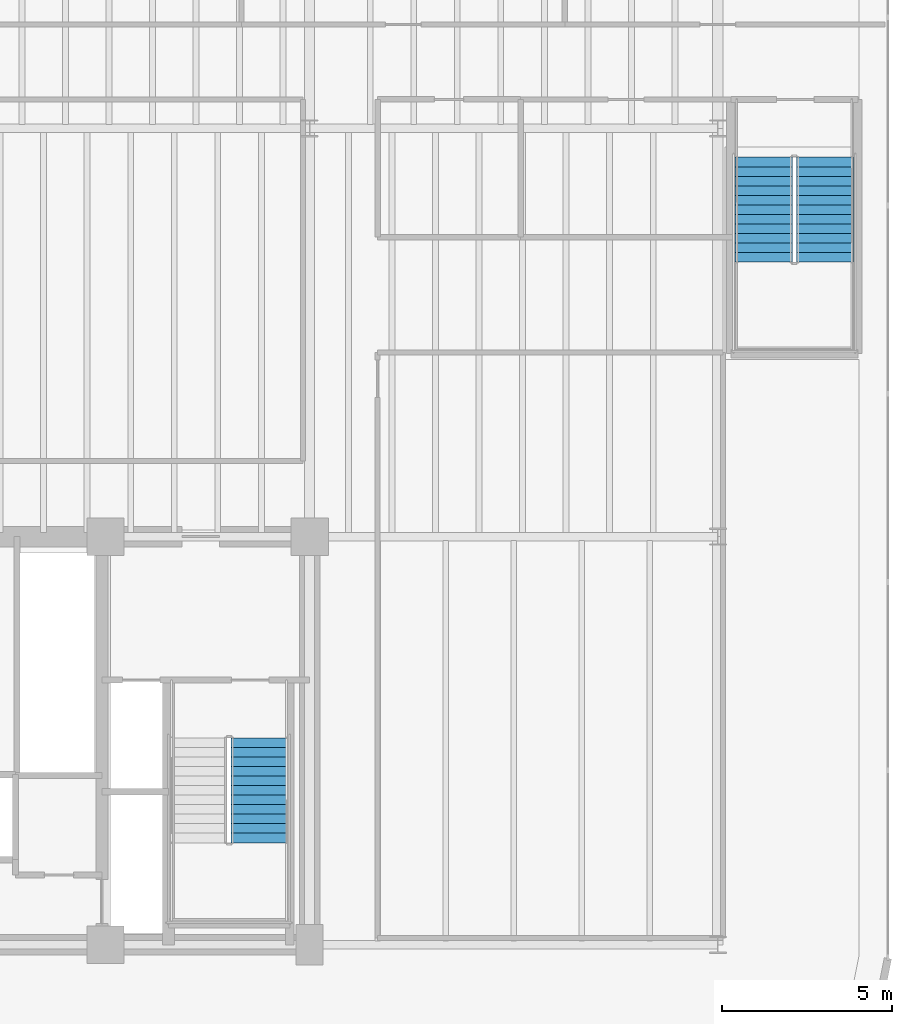
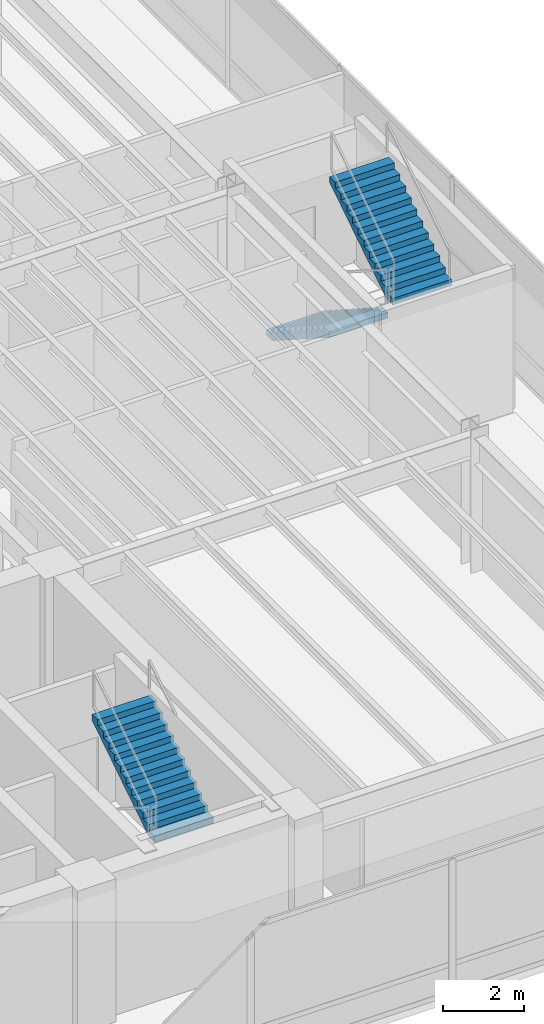
# One storey, part 16 of 19: 3 stair flights, 2 elements without a shape of their own.
"""IFC4 building model written with IfcOpenShell, lengths in metres."""

from ifc_helpers import new_model, si_unit, direction, frame, origin, place, context, subcontext, project, spatial, polyline, outline, extrude, material, type_object, element, aggregate, save


model = new_model("IFC4")

# Units and contexts
model_context = context("Model", 3, precision=1e-05, world=origin(), true_north=direction((0.0, 1.0)))
body_context = subcontext(model_context, "Body", "Model", "MODEL_VIEW")
ifc_project = project(units=[si_unit("LENGTHUNIT", "METRE"), si_unit("AREAUNIT", "SQUARE_METRE"), si_unit("VOLUMEUNIT", "CUBIC_METRE"), si_unit("PLANEANGLEUNIT", "RADIAN"), si_unit("MASSUNIT", "GRAM", prefix="KILO")], contexts=[model_context])

# Site, building, storey
site_placement = place(None, origin())
site = spatial("IfcSite", under=ifc_project, at=site_placement, CompositionType="ELEMENT")
building_placement = place(site_placement, origin())
building = spatial("IfcBuilding", under=site, at=building_placement, Name="Brelvock Crest Care Tower", CompositionType="ELEMENT")
storey_placement = place(building_placement, frame((0.0, 0.0, 14.0400390625)))
storey = spatial("IfcBuildingStorey", under=building, at=storey_placement, Name="L03", CompositionType="ELEMENT", Elevation=14.0400390625)

# Stair, stair flight
ifc_material = material(Name="Concrete N40 (40 MPa)", Category="concrete")
stair_type_1 = type_object("IfcStairType", Name="ST-CORE1", PredefinedType="HALF_TURN_STAIR", material=ifc_material)
stair_1_placement = place(storey_placement, origin())
stair_1 = element("IfcStair", 1, at=stair_1_placement, inside=storey, type_object=stair_type_1, Name="L03 Fire-Isolated Core Stair ST-2", PredefinedType="HALF_TURN_STAIR")
stair_flight_type_1 = type_object("IfcStairFlightType", Name="STF-1", PredefinedType="STRAIGHT", material=ifc_material)
stair_flight_1_placement = place(storey_placement, frame((46.530029296875, 9.0, 2.159912109375), z_axis=(0.0, 0.0, 1.0), x_axis=(0.0, 1.0, 0.0)))
stair_flight_1 = element("IfcStairFlight", 2, at=stair_flight_1_placement, type_object=stair_flight_type_1, Name="ST-2 flight 2", NumberOfRisers=12, NumberOfTreads=11, PredefinedType="STRAIGHT", RiserHeight=0.18, TreadLength=0.28, context=body_context, shape_type="SweptSolid", body=[
    extrude(outline(polyline([(-0.00390625, -0.014892578125), (-0.00390625, -0.008056640625), (-0.00390625, -0.0009765625), (-0.00390625, 0.005859375), (-0.00390625, 0.012939453125), (-0.00390625, 0.019775390625), (-0.00390625, 0.02685546875), (-0.00390625, 0.03369140625), (-0.00390625, 0.040771484375), (-0.00390625, 0.047607421875), (-0.00390625, 0.0546875), (-0.00390625, 0.0615234375), (-0.00390625, 0.068603515625), (-0.00390625, 0.075439453125), (-0.00390625, 0.08251953125), (-0.00390625, 0.08935546875), (-0.00390625, 0.096435546875), (-0.00390625, 0.103271484375), (-0.00390625, 0.1103515625), (-0.00390625, 0.117431640625), (-0.00390625, 0.124267578125), (-0.00390625, 0.13134765625), (-0.00390625, 0.13818359375), (-0.00390625, 0.145263671875), (-0.00390625, 0.152099609375), (-0.00390625, 0.1591796875), (-0.00390625, 0.166015625), (-0.00390625, 0.173095703125), (-0.00390625, 0.179931640625), (0.0, 0.179931640625), (0.280029296875, 0.179931640625), (0.280029296875, 0.360107421875), (0.56005859375, 0.360107421875), (0.56005859375, 0.5400390625), (0.840087890625, 0.5400390625), (0.840087890625, 0.719970703125), (1.1201171875, 0.719970703125), (1.1201171875, 0.89990234375), (1.39990234375, 0.89990234375), (1.39990234375, 1.080078125), (1.679931640625, 1.080078125), (1.679931640625, 1.260009765625), (1.9599609375, 1.260009765625), (1.9599609375, 1.43994140625), (2.239990234375, 1.43994140625), (2.239990234375, 1.6201171875), (2.52001953125, 1.6201171875), (2.52001953125, 1.800048828125), (2.800048828125, 1.800048828125), (2.800048828125, 1.97998046875), (3.080078125, 1.97998046875), (3.083984375, 1.97998046875), (3.083740234375, 1.979248046875), (3.083984375, 1.978759765625), (3.083740234375, 1.97802734375), (3.083984375, 1.9775390625), (3.083740234375, 1.976806640625), (3.083984375, 1.97607421875), (3.083740234375, 1.9755859375), (3.083984375, 1.974853515625), (3.083740234375, 1.97412109375), (3.083984375, 1.9736328125), (3.083740234375, 1.972900390625), (3.083984375, 1.97216796875), (3.083740234375, 1.9716796875), (3.083984375, 1.970947265625), (3.083740234375, 1.970458984375), (3.083984375, 1.9697265625), (3.083740234375, 1.968994140625), (3.083984375, 1.968505859375), (3.083740234375, 1.9677734375), (3.083984375, 1.967041015625), (3.083740234375, 1.966552734375), (3.083984375, 1.9658203125), (3.083740234375, 1.96533203125), (3.083984375, 1.964599609375), (3.083740234375, 1.9638671875), (3.083984375, 1.96337890625), (3.083740234375, 1.962646484375), (3.083984375, 1.9619140625), (3.080078125, 1.8017578125), (0.277099609375, 0.0), (0.0, 0.0), (0.0, -0.014892578125), (-0.00390625, -0.014892578125)])), frame((0.0, 0.83984375, 0.0), z_axis=(0.0, -1.0, 0.0), x_axis=(1.0, 0.0, 0.0)), (0.0, 0.0, 1.0), 1.679931640625),
])
aggregate(stair_1, [stair_flight_1])

# Stair, stair flights
stair_type_2 = type_object("IfcStairType", Name="ST-POD1", PredefinedType="HALF_TURN_STAIR", material=ifc_material)
stair_2_placement = place(storey_placement, origin())
stair_2 = element("IfcStair", 3, at=stair_2_placement, inside=storey, type_object=stair_type_2, Name="L03 Podium East Fire Stair ST-4", PredefinedType="HALF_TURN_STAIR")
stair_flight_type_2 = type_object("IfcStairFlightType", Name="STF-2", PredefinedType="STRAIGHT", material=ifc_material)
stair_flight_2_placement = place(storey_placement, frame((61.35009765625, 29.14990234375, 0.0), z_axis=(0.0, 0.0, 1.0), x_axis=(0.0, -1.0, 0.0)))
stair_flight_2 = element("IfcStairFlight", 4, at=stair_flight_2_placement, type_object=stair_flight_type_2, Name="ST-4 flight 1", NumberOfRisers=12, NumberOfTreads=11, PredefinedType="STRAIGHT", RiserHeight=0.18, TreadLength=0.28, context=body_context, shape_type="SweptSolid", body=[
    extrude(outline(polyline([(-0.00390625, -0.014892578125), (-0.00390625, -0.008056640625), (-0.00390625, -0.0009765625), (-0.00390625, 0.005859375), (-0.00390625, 0.012939453125), (-0.00390625, 0.019775390625), (-0.00390625, 0.02685546875), (-0.00390625, 0.03369140625), (-0.00390625, 0.040771484375), (-0.00390625, 0.047607421875), (-0.00390625, 0.0546875), (-0.00390625, 0.0615234375), (-0.00390625, 0.068603515625), (-0.00390625, 0.075439453125), (-0.00390625, 0.08251953125), (-0.00390625, 0.08935546875), (-0.00390625, 0.096435546875), (-0.00390625, 0.103271484375), (-0.00390625, 0.1103515625), (-0.00390625, 0.117431640625), (-0.00390625, 0.124267578125), (-0.00390625, 0.13134765625), (-0.00390625, 0.13818359375), (-0.00390625, 0.145263671875), (-0.00390625, 0.152099609375), (-0.00390625, 0.1591796875), (-0.00390625, 0.166015625), (-0.00390625, 0.173095703125), (-0.00390625, 0.179931640625), (0.0, 0.179931640625), (0.280029296875, 0.179931640625), (0.280029296875, 0.360107421875), (0.56005859375, 0.360107421875), (0.56005859375, 0.5400390625), (0.840087890625, 0.5400390625), (0.840087890625, 0.719970703125), (1.1201171875, 0.719970703125), (1.1201171875, 0.89990234375), (1.39990234375, 0.89990234375), (1.39990234375, 1.080078125), (1.679931640625, 1.080078125), (1.679931640625, 1.260009765625), (1.9599609375, 1.260009765625), (1.9599609375, 1.43994140625), (2.239990234375, 1.43994140625), (2.239990234375, 1.6201171875), (2.52001953125, 1.6201171875), (2.52001953125, 1.800048828125), (2.800048828125, 1.800048828125), (2.800048828125, 1.97998046875), (3.080078125, 1.97998046875), (3.083984375, 1.97998046875), (3.083740234375, 1.979248046875), (3.083984375, 1.978759765625), (3.083740234375, 1.97802734375), (3.083984375, 1.9775390625), (3.083740234375, 1.976806640625), (3.083984375, 1.97607421875), (3.083740234375, 1.9755859375), (3.083984375, 1.974853515625), (3.083740234375, 1.97412109375), (3.083984375, 1.9736328125), (3.083740234375, 1.972900390625), (3.083984375, 1.97216796875), (3.083740234375, 1.9716796875), (3.083984375, 1.970947265625), (3.083740234375, 1.970458984375), (3.083984375, 1.9697265625), (3.083740234375, 1.968994140625), (3.083984375, 1.968505859375), (3.083740234375, 1.9677734375), (3.083984375, 1.967041015625), (3.083740234375, 1.966552734375), (3.083984375, 1.9658203125), (3.083740234375, 1.96533203125), (3.083984375, 1.964599609375), (3.083740234375, 1.9638671875), (3.083984375, 1.96337890625), (3.083740234375, 1.962646484375), (3.083984375, 1.9619140625), (3.080078125, 1.8017578125), (0.277099609375, 0.0), (0.0, 0.0), (0.0, -0.014892578125), (-0.00390625, -0.014892578125)])), frame((0.0, 0.83984375, 0.0), z_axis=(0.0, -1.0, 0.0), x_axis=(1.0, 0.0, 0.0)), (0.0, 0.0, 1.0), 1.679931640625),
])
stair_flight_3_placement = place(storey_placement, frame((63.14990234375, 26.070068359375, 2.159912109375), z_axis=(0.0, 0.0, 1.0), x_axis=(0.0, 1.0, 0.0)))
stair_flight_3 = element("IfcStairFlight", 5, at=stair_flight_3_placement, type_object=stair_flight_type_2, Name="ST-4 flight 2", NumberOfRisers=12, NumberOfTreads=11, PredefinedType="STRAIGHT", RiserHeight=0.18, TreadLength=0.28, context=body_context, shape_type="SweptSolid", body=[
    extrude(outline(polyline([(-0.00390625, -0.014892578125), (-0.00390625, -0.008056640625), (-0.00390625, -0.0009765625), (-0.00390625, 0.005859375), (-0.00390625, 0.012939453125), (-0.00390625, 0.019775390625), (-0.00390625, 0.02685546875), (-0.00390625, 0.03369140625), (-0.00390625, 0.040771484375), (-0.00390625, 0.047607421875), (-0.00390625, 0.0546875), (-0.00390625, 0.0615234375), (-0.00390625, 0.068603515625), (-0.00390625, 0.075439453125), (-0.00390625, 0.08251953125), (-0.00390625, 0.08935546875), (-0.00390625, 0.096435546875), (-0.00390625, 0.103271484375), (-0.00390625, 0.1103515625), (-0.00390625, 0.117431640625), (-0.00390625, 0.124267578125), (-0.00390625, 0.13134765625), (-0.00390625, 0.13818359375), (-0.00390625, 0.145263671875), (-0.00390625, 0.152099609375), (-0.00390625, 0.1591796875), (-0.00390625, 0.166015625), (-0.00390625, 0.173095703125), (-0.00390625, 0.179931640625), (0.0, 0.179931640625), (0.280029296875, 0.179931640625), (0.280029296875, 0.360107421875), (0.56005859375, 0.360107421875), (0.56005859375, 0.5400390625), (0.840087890625, 0.5400390625), (0.840087890625, 0.719970703125), (1.1201171875, 0.719970703125), (1.1201171875, 0.89990234375), (1.39990234375, 0.89990234375), (1.39990234375, 1.080078125), (1.679931640625, 1.080078125), (1.679931640625, 1.260009765625), (1.9599609375, 1.260009765625), (1.9599609375, 1.43994140625), (2.239990234375, 1.43994140625), (2.239990234375, 1.6201171875), (2.52001953125, 1.6201171875), (2.52001953125, 1.800048828125), (2.800048828125, 1.800048828125), (2.800048828125, 1.97998046875), (3.080078125, 1.97998046875), (3.083984375, 1.97998046875), (3.083740234375, 1.979248046875), (3.083984375, 1.978759765625), (3.083740234375, 1.97802734375), (3.083984375, 1.9775390625), (3.083740234375, 1.976806640625), (3.083984375, 1.97607421875), (3.083740234375, 1.9755859375), (3.083984375, 1.974853515625), (3.083740234375, 1.97412109375), (3.083984375, 1.9736328125), (3.083740234375, 1.972900390625), (3.083984375, 1.97216796875), (3.083740234375, 1.9716796875), (3.083984375, 1.970947265625), (3.083740234375, 1.970458984375), (3.083984375, 1.9697265625), (3.083740234375, 1.968994140625), (3.083984375, 1.968505859375), (3.083740234375, 1.9677734375), (3.083984375, 1.967041015625), (3.083740234375, 1.966552734375), (3.083984375, 1.9658203125), (3.083740234375, 1.96533203125), (3.083984375, 1.964599609375), (3.083740234375, 1.9638671875), (3.083984375, 1.96337890625), (3.083740234375, 1.962646484375), (3.083984375, 1.9619140625), (3.080078125, 1.8017578125), (0.277099609375, 0.0), (0.0, 0.0), (0.0, -0.014892578125), (-0.00390625, -0.014892578125)])), frame((0.0, 0.83984375, 0.0), z_axis=(0.0, -1.0, 0.0), x_axis=(1.0, 0.0, 0.0)), (0.0, 0.0, 1.0), 1.679931640625),
])
aggregate(stair_2, [stair_flight_2, stair_flight_3])

save(model, "model.ifc")
